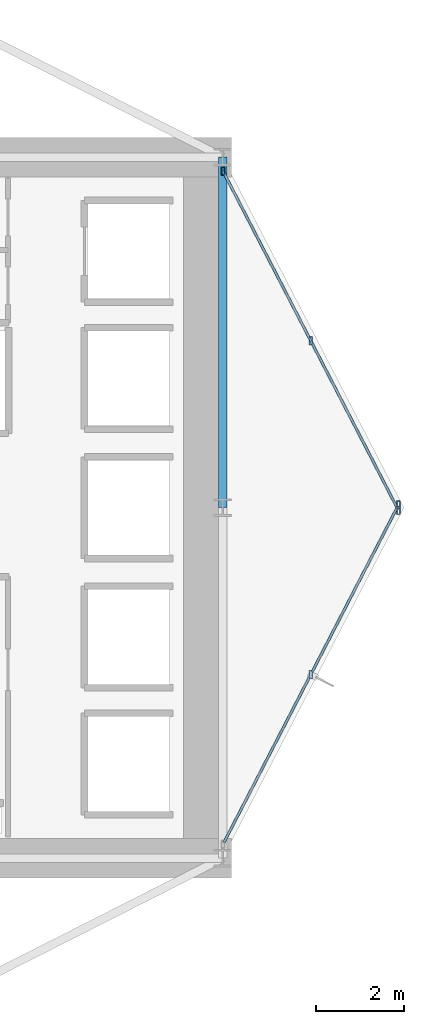
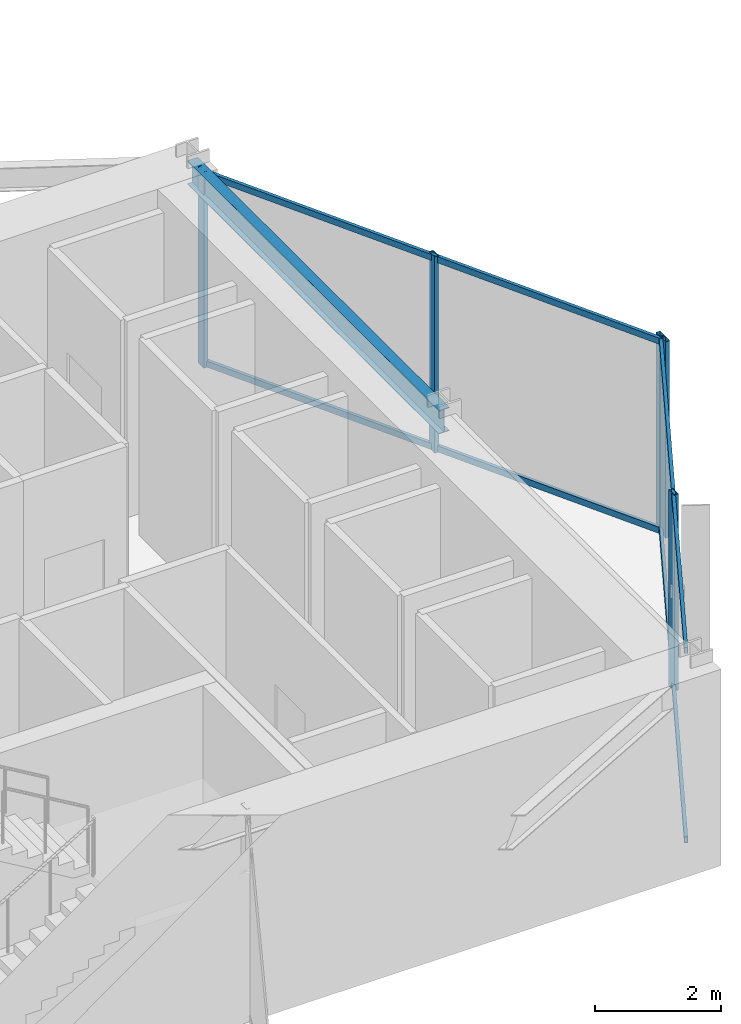
# One storey, part 18 of 30: 9 members, 1 beam, 2 elements without a shape of their own.
"""IFC4 building model written with IfcOpenShell, lengths in metres."""

from ifc_helpers import new_model, si_unit, direction, frame, origin, origin_2d, place, context, subcontext, project, spatial, hollow_rectangle, i_section, extrude, material, layer, layer_set, material_profile, profile_set, type_object, element, aggregate, save


model = new_model("IFC4")

# Units and contexts
model_context = context("Model", 3, precision=1e-05, world=origin(), true_north=direction((0.0, 1.0)))
body_context = subcontext(model_context, "Body", "Model", "MODEL_VIEW")
ifc_project = project(units=[si_unit("LENGTHUNIT", "METRE"), si_unit("AREAUNIT", "SQUARE_METRE"), si_unit("VOLUMEUNIT", "CUBIC_METRE"), si_unit("PLANEANGLEUNIT", "RADIAN"), si_unit("MASSUNIT", "GRAM", prefix="KILO")], contexts=[model_context])

# Site, building, storey
site_placement = place(None, origin())
site = spatial("IfcSite", under=ifc_project, at=site_placement, CompositionType="ELEMENT")
building_placement = place(site_placement, origin())
building = spatial("IfcBuilding", under=site, at=building_placement, Name="Veymaron Broadcast Tower", CompositionType="ELEMENT")
storey_placement = place(building_placement, frame((0.0, 0.0, 37.800048828125)))
storey = spatial("IfcBuildingStorey", under=building, at=storey_placement, Name="L07", CompositionType="ELEMENT", Elevation=37.800048828125)

# Beam
ifc_material_1 = material(Name="Structural steel ASTM A992 Gr 50", Category="steel")
ifc_material_profile_1 = material_profile(ifc_material_1, i_section(OverallWidth=0.19091796875, OverallDepth=0.4599609375, WebThickness=0.010009765625, FlangeThickness=0.01611328125, at=origin_2d()), Name="W460X82")
ifc_profile_set_1 = profile_set([ifc_material_profile_1], Name="Structural steel ASTM A992 Gr 50")
beam_type = type_object("IfcBeamType", Name="BM-SP1", PredefinedType="SPANDREL", material=ifc_profile_set_1)
beam_placement = place(storey_placement, frame((54.60009765625, 24.0, 3.579833984375), z_axis=(0.0, 1.0, 0.0), x_axis=(-1.0, 0.0, 0.0)))
element("IfcBeam", 1, at=beam_placement, inside=storey, type_object=beam_type, Name="L07 primary structural floor girder", PredefinedType="SPANDREL", context=body_context, shape_type="SweptSolid", body=[
    extrude(i_section(OverallWidth=0.19091796875, OverallDepth=0.4599609375, WebThickness=0.010009765625, FlangeThickness=0.01611328125, at=origin_2d()), origin(), (0.0, 0.0, 1.0), 8.0),
])

# Curtain wall, members
ifc_material_2 = material(Name="Anodised aluminium AA 6063-T6 and laminated low-E dark glass", Category="aluminium")
ifc_layer = layer(ifc_material_2, 0.179931640625)
ifc_layer_set = layer_set([ifc_layer], Name="Anodised aluminium AA 6063-T6 and laminated low-E dark glass")
curtain_wall_type = type_object("IfcCurtainWallType", Name="CW-SYS-02", PredefinedType="NOTDEFINED", material=ifc_layer_set)
curtain_wall_1_placement = place(storey_placement, origin())
curtain_wall_1 = element("IfcCurtainWall", 2, at=curtain_wall_1_placement, inside=storey, type_object=curtain_wall_type, Name="L07 dark-glass curtain wall CW-L07-E2-1", PredefinedType="NOTDEFINED")
ifc_material_3 = material(Name="Anodised aluminium AA 6063-T6", Category="aluminium")
ifc_material_profile_2 = material_profile(ifc_material_3, hollow_rectangle(XDim=0.074951171875, YDim=0.179931640625, WallThickness=0.0048828125, at=origin_2d()), Name="AL180X75X5")
ifc_profile_set_2 = profile_set([ifc_material_profile_2], Name="Anodised aluminium AA 6063-T6")
member_type_1 = type_object("IfcMemberType", Name="CW-MUL-02", PredefinedType="MULLION", material=ifc_profile_set_2)
member_1_placement = place(storey_placement, frame((56.610107421875, 20.19189453125, 0.0), z_axis=(0.0, 0.0, 1.0), x_axis=(1.0, 0.0, 0.0)))
member_1 = element("IfcMember", 3, at=member_1_placement, type_object=member_type_1, Name="CW-L07-E2-1 mullion 1", PredefinedType="MULLION", context=body_context, shape_type="SweptSolid", body=[
    extrude(hollow_rectangle(XDim=0.074951171875, YDim=0.179931640625, WallThickness=0.0048828125, at=origin_2d()), origin(), (0.0, 0.0, 1.0), 3.81005859375),
])
member_2_placement = place(storey_placement, frame((58.612548828125, 24.064208984375, 0.0), z_axis=(0.0, 0.0, 1.0), x_axis=(1.0, 0.0, 0.0)))
member_2 = element("IfcMember", 4, at=member_2_placement, type_object=member_type_1, Name="CW-L07-E2-1 mullion 2", PredefinedType="MULLION", context=body_context, shape_type="SweptSolid", body=[
    extrude(hollow_rectangle(XDim=0.074951171875, YDim=0.179931640625, WallThickness=0.0048828125, at=origin_2d()), origin(), (0.0, 0.0, 1.0), 3.81005859375),
])

curtain_wall_2_placement = place(storey_placement, origin())
curtain_wall_2 = element("IfcCurtainWall", 5, at=curtain_wall_2_placement, inside=storey, type_object=curtain_wall_type, Name="L07 dark-glass curtain wall CW-L07-E3-1", PredefinedType="NOTDEFINED")
member_3_placement = place(storey_placement, frame((58.612548828125, 23.935791015625, 0.0), z_axis=(0.0, 0.0, 1.0), x_axis=(1.0, 0.0, 0.0)))
member_3 = element("IfcMember", 6, at=member_3_placement, type_object=member_type_1, Name="CW-L07-E3-1 mullion 0", PredefinedType="MULLION", context=body_context, shape_type="SweptSolid", body=[
    extrude(hollow_rectangle(XDim=0.074951171875, YDim=0.179931640625, WallThickness=0.0048828125, at=origin_2d()), origin(), (0.0, 0.0, 1.0), 3.81005859375),
])
member_4_placement = place(storey_placement, frame((56.610107421875, 27.80810546875, 0.0), z_axis=(0.0, 0.0, 1.0), x_axis=(1.0, 0.0, 0.0)))
member_4 = element("IfcMember", 7, at=member_4_placement, type_object=member_type_1, Name="CW-L07-E3-1 mullion 1", PredefinedType="MULLION", context=body_context, shape_type="SweptSolid", body=[
    extrude(hollow_rectangle(XDim=0.074951171875, YDim=0.179931640625, WallThickness=0.0048828125, at=origin_2d()), origin(), (0.0, 0.0, 1.0), 3.81005859375),
])
member_5_placement = place(storey_placement, frame((54.607666015625, 31.680419921875, 0.0), z_axis=(0.0, 0.0, 1.0), x_axis=(1.0, 0.0, 0.0)))
member_5 = element("IfcMember", 8, at=member_5_placement, type_object=member_type_1, Name="CW-L07-E3-1 mullion 2", PredefinedType="MULLION", context=body_context, shape_type="SweptSolid", body=[
    extrude(hollow_rectangle(XDim=0.074951171875, YDim=0.179931640625, WallThickness=0.0048828125, at=origin_2d()), origin(), (0.0, 0.0, 1.0), 3.81005859375),
])

# Member
ifc_material_profile_3 = material_profile(ifc_material_3, hollow_rectangle(XDim=0.06005859375, YDim=0.1201171875, WallThickness=0.00390625, at=origin_2d()), Name="AL120X60X4")
ifc_profile_set_3 = profile_set([ifc_material_profile_3], Name="Anodised aluminium AA 6063-T6")
member_type_2 = type_object("IfcMemberType", Name="CW-TRN-02", PredefinedType="USERDEFINED", material=ifc_profile_set_3)
member_6_placement = place(storey_placement, frame((54.630615234375, 16.364013671875, 0.070068359375), z_axis=(0.45932967534, 0.888265866366, 0.0), x_axis=(-0.888265866366, 0.45932967534, 0.0)))
member_6 = element("IfcMember", 9, at=member_6_placement, type_object=member_type_2, Name="CW-L07-E2-1 transom B", ObjectType="TRANSOM", PredefinedType="USERDEFINED", context=body_context, shape_type="SweptSolid", body=[
    extrude(hollow_rectangle(XDim=0.06005859375, YDim=0.1201171875, WallThickness=0.00390625, at=origin_2d()), origin(), (0.0, 0.0, 1.0), 8.619140625),
])

member_7_placement = place(storey_placement, frame((54.630615234375, 16.364013671875, 3.739990234375), z_axis=(0.45932967534, 0.888265866366, 0.0), x_axis=(-0.888265866366, 0.45932967534, 0.0)))
member_7 = element("IfcMember", 10, at=member_7_placement, type_object=member_type_2, Name="CW-L07-E2-1 transom T", ObjectType="TRANSOM", PredefinedType="USERDEFINED", context=body_context, shape_type="SweptSolid", body=[
    extrude(hollow_rectangle(XDim=0.06005859375, YDim=0.1201171875, WallThickness=0.00390625, at=origin_2d()), origin(), (0.0, 0.0, 1.0), 8.619140625),
])

aggregate(curtain_wall_1, [member_1, member_2, member_6, member_7])

member_8_placement = place(storey_placement, frame((58.589599609375, 23.97998046875, 0.070068359375), z_axis=(-0.45932967534, 0.888265866366, 0.0), x_axis=(-0.888265866366, -0.45932967534, 0.0)))
member_8 = element("IfcMember", 11, at=member_8_placement, type_object=member_type_2, Name="CW-L07-E3-1 transom B", ObjectType="TRANSOM", PredefinedType="USERDEFINED", context=body_context, shape_type="SweptSolid", body=[
    extrude(hollow_rectangle(XDim=0.06005859375, YDim=0.1201171875, WallThickness=0.00390625, at=origin_2d()), origin(), (0.0, 0.0, 1.0), 8.619140625),
])

member_9_placement = place(storey_placement, frame((58.589599609375, 23.97998046875, 3.739990234375), z_axis=(-0.45932967534, 0.888265866366, 0.0), x_axis=(-0.888265866366, -0.45932967534, 0.0)))
member_9 = element("IfcMember", 12, at=member_9_placement, type_object=member_type_2, Name="CW-L07-E3-1 transom T", ObjectType="TRANSOM", PredefinedType="USERDEFINED", context=body_context, shape_type="SweptSolid", body=[
    extrude(hollow_rectangle(XDim=0.06005859375, YDim=0.1201171875, WallThickness=0.00390625, at=origin_2d()), origin(), (0.0, 0.0, 1.0), 8.619140625),
])

aggregate(curtain_wall_2, [member_3, member_4, member_5, member_8, member_9])

save(model, "model.ifc")
